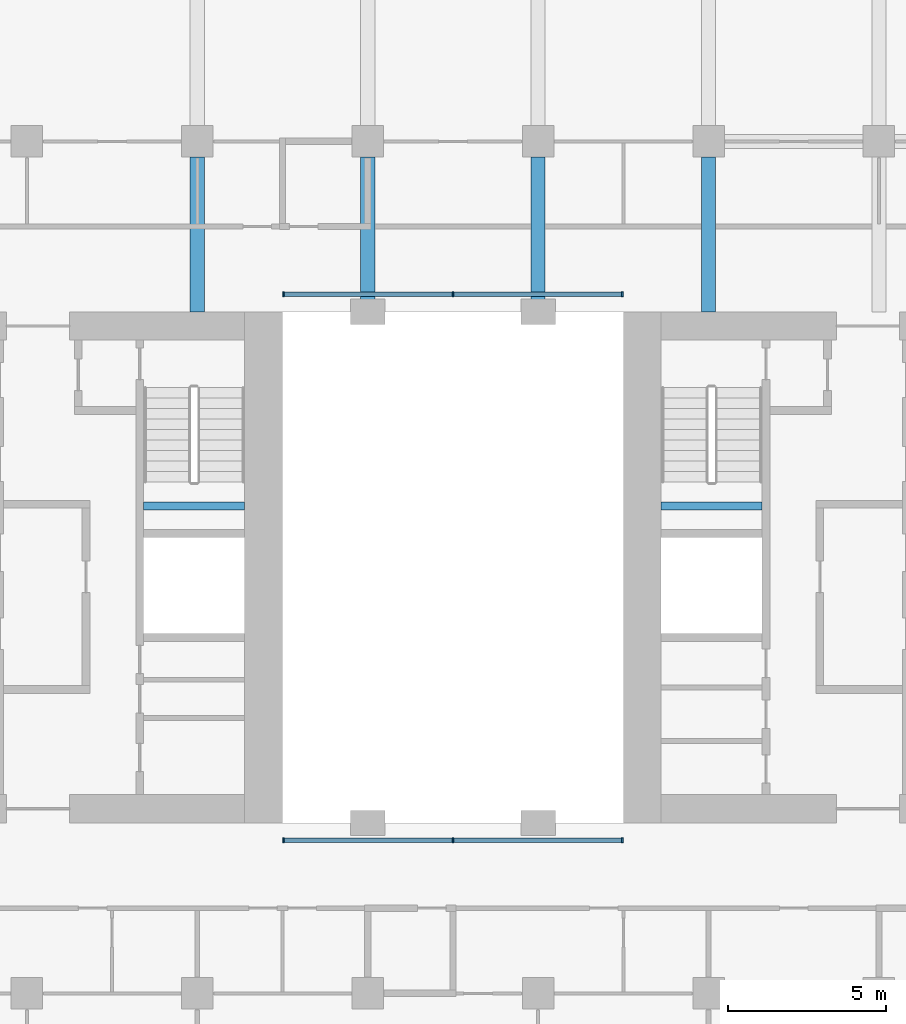
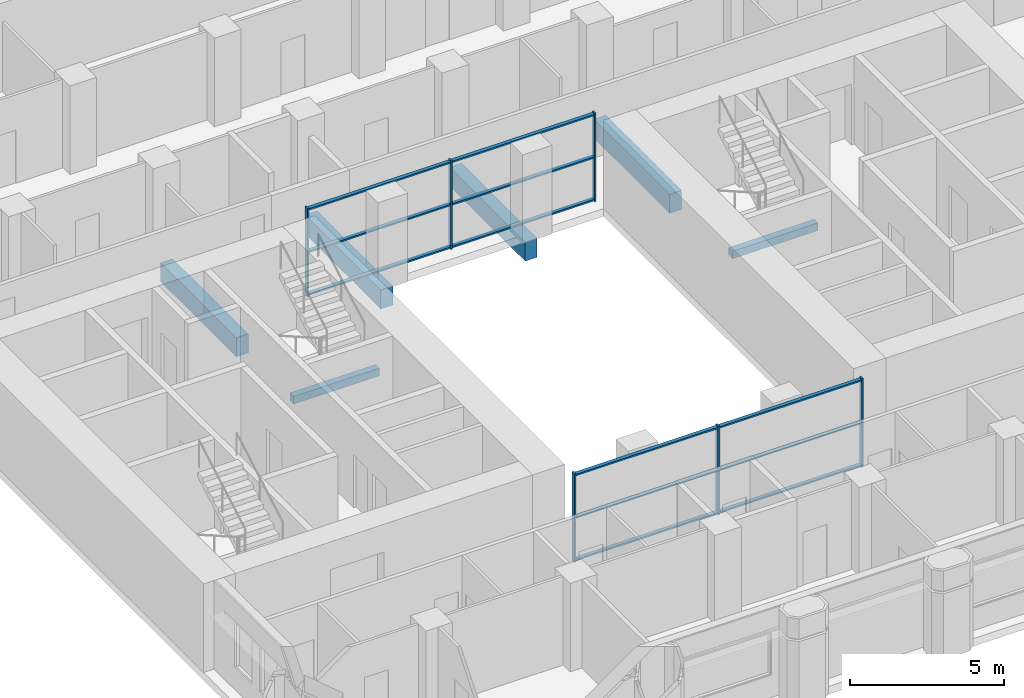
# One storey, part 2 of 10: 18 members, 6 beams, 2 elements without a shape of their own.
"""IFC4 building model written with IfcOpenShell, lengths in metres."""

from ifc_helpers import new_model, si_unit, direction, frame, origin, origin_2d, place, context, subcontext, project, spatial, rectangle, extrude, material, material_profile, profile_set, type_object, element, aggregate, save


model = new_model("IFC4")

# Units and contexts
model_context = context("Model", 3, precision=1e-05, world=origin(), true_north=direction((0.0, 1.0)))
body_context = subcontext(model_context, "Body", "Model", "MODEL_VIEW")
ifc_project = project(units=[si_unit("LENGTHUNIT", "METRE"), si_unit("AREAUNIT", "SQUARE_METRE"), si_unit("VOLUMEUNIT", "CUBIC_METRE"), si_unit("PLANEANGLEUNIT", "RADIAN"), si_unit("MASSUNIT", "GRAM", prefix="KILO")], contexts=[model_context])

# Site, building, storey
site_placement = place(None, origin())
site = spatial("IfcSite", under=ifc_project, at=site_placement, CompositionType="ELEMENT")
building_placement = place(site_placement, origin())
building = spatial("IfcBuilding", under=site, at=building_placement, Name="Tabaq Tower and Sports Hall", CompositionType="ELEMENT")
storey_placement = place(building_placement, frame((0.0, 0.0, 68.800048828125)))
storey = spatial("IfcBuildingStorey", under=building, at=storey_placement, Name="L15", CompositionType="ELEMENT", Elevation=68.800048828125)

# Curtain wall, members
ifc_material_1 = material(Name="Aluminium alloy 6063-T6 framed glazing", Category="aluminium")
curtain_wall_type = type_object("IfcCurtainWallType", Name="CW1 curtain wall", PredefinedType="USERDEFINED", material=ifc_material_1)
curtain_wall_1_placement = place(storey_placement, origin())
curtain_wall_1 = element("IfcCurtainWall", 1, at=curtain_wall_1_placement, inside=storey, type_object=curtain_wall_type, Name="Atrium glazing L15 S", ObjectType="ATRIUM ENCLOSURE", PredefinedType="USERDEFINED")
ifc_material_2 = material(Name="Aluminium alloy 6063-T6", Category="aluminium")
ifc_material_profile_1 = material_profile(ifc_material_2, rectangle(XDim=0.159912109375, YDim=0.06005859375, at=origin_2d()), Name="MULLION 160x60")
ifc_profile_set_1 = profile_set([ifc_material_profile_1], Name="Aluminium alloy 6063-T6")
member_type_1 = type_object("IfcMemberType", Name="CW1 mullion 160x60", PredefinedType="MULLION", material=ifc_profile_set_1)
member_1_placement = place(storey_placement, frame((18.929931640625, 15.64990234375, 0.0), z_axis=(0.0, 0.0, 1.0), x_axis=(0.0, 1.0, 0.0)))
member_1 = element("IfcMember", 2, at=member_1_placement, type_object=member_type_1, Name="CW1 mullion 1", PredefinedType="MULLION", context=body_context, shape_type="SweptSolid", body=[
    extrude(rectangle(XDim=0.159912109375, YDim=0.06005859375, at=origin_2d()), origin(), (0.0, 0.0, 1.0), 3.5),
])
member_2_placement = place(storey_placement, frame((24.300048828125, 15.64990234375, 0.0), z_axis=(0.0, 0.0, 1.0), x_axis=(0.0, 1.0, 0.0)))
member_2 = element("IfcMember", 3, at=member_2_placement, type_object=member_type_1, Name="CW1 mullion 2", PredefinedType="MULLION", context=body_context, shape_type="SweptSolid", body=[
    extrude(rectangle(XDim=0.159912109375, YDim=0.06005859375, at=origin_2d()), origin(), (0.0, 0.0, 1.0), 3.5),
])
member_3_placement = place(storey_placement, frame((29.669921875, 15.64990234375, 0.0), z_axis=(0.0, 0.0, 1.0), x_axis=(0.0, 1.0, 0.0)))
member_3 = element("IfcMember", 4, at=member_3_placement, type_object=member_type_1, Name="CW1 mullion 3", PredefinedType="MULLION", context=body_context, shape_type="SweptSolid", body=[
    extrude(rectangle(XDim=0.159912109375, YDim=0.06005859375, at=origin_2d()), origin(), (0.0, 0.0, 1.0), 3.5),
])

curtain_wall_2_placement = place(storey_placement, origin())
curtain_wall_2 = element("IfcCurtainWall", 5, at=curtain_wall_2_placement, inside=storey, type_object=curtain_wall_type, Name="Atrium glazing L15 N", ObjectType="ATRIUM ENCLOSURE", PredefinedType="USERDEFINED")
member_4_placement = place(storey_placement, frame((18.929931640625, 32.949951171875, 0.0), z_axis=(0.0, 0.0, 1.0), x_axis=(0.0, 1.0, 0.0)))
member_4 = element("IfcMember", 6, at=member_4_placement, type_object=member_type_1, Name="CW1 mullion 1", PredefinedType="MULLION", context=body_context, shape_type="SweptSolid", body=[
    extrude(rectangle(XDim=0.159912109375, YDim=0.06005859375, at=origin_2d()), origin(), (0.0, 0.0, 1.0), 3.5),
])
member_5_placement = place(storey_placement, frame((24.300048828125, 32.949951171875, 0.0), z_axis=(0.0, 0.0, 1.0), x_axis=(0.0, 1.0, 0.0)))
member_5 = element("IfcMember", 7, at=member_5_placement, type_object=member_type_1, Name="CW1 mullion 2", PredefinedType="MULLION", context=body_context, shape_type="SweptSolid", body=[
    extrude(rectangle(XDim=0.159912109375, YDim=0.06005859375, at=origin_2d()), origin(), (0.0, 0.0, 1.0), 3.5),
])
member_6_placement = place(storey_placement, frame((29.669921875, 32.949951171875, 0.0), z_axis=(0.0, 0.0, 1.0), x_axis=(0.0, 1.0, 0.0)))
member_6 = element("IfcMember", 8, at=member_6_placement, type_object=member_type_1, Name="CW1 mullion 3", PredefinedType="MULLION", context=body_context, shape_type="SweptSolid", body=[
    extrude(rectangle(XDim=0.159912109375, YDim=0.06005859375, at=origin_2d()), origin(), (0.0, 0.0, 1.0), 3.5),
])

# Member
ifc_material_3 = material(Name="Aluminium alloy 6063-T6", Category="aluminium")
ifc_material_profile_2 = material_profile(ifc_material_3, rectangle(XDim=0.139892578125, YDim=0.06005859375, at=origin_2d()), Name="TRANSOM 140x60")
ifc_profile_set_2 = profile_set([ifc_material_profile_2], Name="Aluminium alloy 6063-T6")
member_type_2 = type_object("IfcMemberType", Name="CW1 transom 140x60", PredefinedType="USERDEFINED", material=ifc_profile_set_2)
member_7_placement = place(storey_placement, frame((18.9599609375, 15.64990234375, 0.070068359375), z_axis=(1.0, 0.0, 0.0), x_axis=(0.0, 1.0, 0.0)))
member_7 = element("IfcMember", 9, at=member_7_placement, type_object=member_type_2, Name="CW1 transom 1.1", ObjectType="TRANSOM", PredefinedType="USERDEFINED", context=body_context, shape_type="SweptSolid", body=[
    extrude(rectangle(XDim=0.139892578125, YDim=0.06005859375, at=origin_2d()), origin(), (0.0, 0.0, 1.0), 5.31005859375),
])

member_8_placement = place(storey_placement, frame((18.9599609375, 15.64990234375, 1.75), z_axis=(1.0, 0.0, 0.0), x_axis=(0.0, 1.0, 0.0)))
member_8 = element("IfcMember", 10, at=member_8_placement, type_object=member_type_2, Name="CW1 transom 1.2", ObjectType="TRANSOM", PredefinedType="USERDEFINED", context=body_context, shape_type="SweptSolid", body=[
    extrude(rectangle(XDim=0.139892578125, YDim=0.06005859375, at=origin_2d()), origin(), (0.0, 0.0, 1.0), 5.31005859375),
])

member_9_placement = place(storey_placement, frame((18.9599609375, 15.64990234375, 3.429931640625), z_axis=(1.0, 0.0, 0.0), x_axis=(0.0, 1.0, 0.0)))
member_9 = element("IfcMember", 11, at=member_9_placement, type_object=member_type_2, Name="CW1 transom 1.3", ObjectType="TRANSOM", PredefinedType="USERDEFINED", context=body_context, shape_type="SweptSolid", body=[
    extrude(rectangle(XDim=0.139892578125, YDim=0.06005859375, at=origin_2d()), origin(), (0.0, 0.0, 1.0), 5.31005859375),
])

member_10_placement = place(storey_placement, frame((24.330078125, 15.64990234375, 0.070068359375), z_axis=(1.0, 0.0, 0.0), x_axis=(0.0, 1.0, 0.0)))
member_10 = element("IfcMember", 12, at=member_10_placement, type_object=member_type_2, Name="CW1 transom 2.1", ObjectType="TRANSOM", PredefinedType="USERDEFINED", context=body_context, shape_type="SweptSolid", body=[
    extrude(rectangle(XDim=0.139892578125, YDim=0.06005859375, at=origin_2d()), origin(), (0.0, 0.0, 1.0), 5.309814453125),
])

member_11_placement = place(storey_placement, frame((24.330078125, 15.64990234375, 1.75), z_axis=(1.0, 0.0, 0.0), x_axis=(0.0, 1.0, 0.0)))
member_11 = element("IfcMember", 13, at=member_11_placement, type_object=member_type_2, Name="CW1 transom 2.2", ObjectType="TRANSOM", PredefinedType="USERDEFINED", context=body_context, shape_type="SweptSolid", body=[
    extrude(rectangle(XDim=0.139892578125, YDim=0.06005859375, at=origin_2d()), origin(), (0.0, 0.0, 1.0), 5.309814453125),
])

member_12_placement = place(storey_placement, frame((24.330078125, 15.64990234375, 3.429931640625), z_axis=(1.0, 0.0, 0.0), x_axis=(0.0, 1.0, 0.0)))
member_12 = element("IfcMember", 14, at=member_12_placement, type_object=member_type_2, Name="CW1 transom 2.3", ObjectType="TRANSOM", PredefinedType="USERDEFINED", context=body_context, shape_type="SweptSolid", body=[
    extrude(rectangle(XDim=0.139892578125, YDim=0.06005859375, at=origin_2d()), origin(), (0.0, 0.0, 1.0), 5.309814453125),
])

aggregate(curtain_wall_1, [member_1, member_2, member_3, member_7, member_8, member_9, member_10, member_11, member_12])

member_13_placement = place(storey_placement, frame((18.9599609375, 32.949951171875, 0.070068359375), z_axis=(1.0, 0.0, 0.0), x_axis=(0.0, 1.0, 0.0)))
member_13 = element("IfcMember", 15, at=member_13_placement, type_object=member_type_2, Name="CW1 transom 1.1", ObjectType="TRANSOM", PredefinedType="USERDEFINED", context=body_context, shape_type="SweptSolid", body=[
    extrude(rectangle(XDim=0.139892578125, YDim=0.06005859375, at=origin_2d()), origin(), (0.0, 0.0, 1.0), 5.31005859375),
])

member_14_placement = place(storey_placement, frame((18.9599609375, 32.949951171875, 1.75), z_axis=(1.0, 0.0, 0.0), x_axis=(0.0, 1.0, 0.0)))
member_14 = element("IfcMember", 16, at=member_14_placement, type_object=member_type_2, Name="CW1 transom 1.2", ObjectType="TRANSOM", PredefinedType="USERDEFINED", context=body_context, shape_type="SweptSolid", body=[
    extrude(rectangle(XDim=0.139892578125, YDim=0.06005859375, at=origin_2d()), origin(), (0.0, 0.0, 1.0), 5.31005859375),
])

member_15_placement = place(storey_placement, frame((18.9599609375, 32.949951171875, 3.429931640625), z_axis=(1.0, 0.0, 0.0), x_axis=(0.0, 1.0, 0.0)))
member_15 = element("IfcMember", 17, at=member_15_placement, type_object=member_type_2, Name="CW1 transom 1.3", ObjectType="TRANSOM", PredefinedType="USERDEFINED", context=body_context, shape_type="SweptSolid", body=[
    extrude(rectangle(XDim=0.139892578125, YDim=0.06005859375, at=origin_2d()), origin(), (0.0, 0.0, 1.0), 5.31005859375),
])

member_16_placement = place(storey_placement, frame((24.330078125, 32.949951171875, 0.070068359375), z_axis=(1.0, 0.0, 0.0), x_axis=(0.0, 1.0, 0.0)))
member_16 = element("IfcMember", 18, at=member_16_placement, type_object=member_type_2, Name="CW1 transom 2.1", ObjectType="TRANSOM", PredefinedType="USERDEFINED", context=body_context, shape_type="SweptSolid", body=[
    extrude(rectangle(XDim=0.139892578125, YDim=0.06005859375, at=origin_2d()), origin(), (0.0, 0.0, 1.0), 5.309814453125),
])

member_17_placement = place(storey_placement, frame((24.330078125, 32.949951171875, 1.75), z_axis=(1.0, 0.0, 0.0), x_axis=(0.0, 1.0, 0.0)))
member_17 = element("IfcMember", 19, at=member_17_placement, type_object=member_type_2, Name="CW1 transom 2.2", ObjectType="TRANSOM", PredefinedType="USERDEFINED", context=body_context, shape_type="SweptSolid", body=[
    extrude(rectangle(XDim=0.139892578125, YDim=0.06005859375, at=origin_2d()), origin(), (0.0, 0.0, 1.0), 5.309814453125),
])

member_18_placement = place(storey_placement, frame((24.330078125, 32.949951171875, 3.429931640625), z_axis=(1.0, 0.0, 0.0), x_axis=(0.0, 1.0, 0.0)))
member_18 = element("IfcMember", 20, at=member_18_placement, type_object=member_type_2, Name="CW1 transom 2.3", ObjectType="TRANSOM", PredefinedType="USERDEFINED", context=body_context, shape_type="SweptSolid", body=[
    extrude(rectangle(XDim=0.139892578125, YDim=0.06005859375, at=origin_2d()), origin(), (0.0, 0.0, 1.0), 5.309814453125),
])

aggregate(curtain_wall_2, [member_4, member_5, member_6, member_13, member_14, member_15, member_16, member_17, member_18])

# Beams
ifc_material_4 = material(Name="Concrete C40/50", Category="concrete")
ifc_material_profile_3 = material_profile(ifc_material_4, rectangle(XDim=0.449951171875, YDim=0.75, at=origin_2d()), Name="CB 450x750")
ifc_profile_set_3 = profile_set([ifc_material_profile_3], Name="Concrete C40/50")
beam_type_1 = type_object("IfcBeamType", Name="PT CANTILEVER BEAM CB 450x750 C40/50", PredefinedType="BEAM", material=ifc_profile_set_3)
for number, where, z_axis, x_axis, name in (
    (21, (16.199951171875, 37.300048828125, -0.675048828125), (0.0, -1.0, 0.0), (1.0, 0.0, 0.0), "Cantilever Beam L15 N3 span 3"),
    (22, (21.60009765625, 37.300048828125, -0.675048828125), (0.0, -1.0, 0.0), (1.0, 0.0, 0.0), "Cantilever Beam L15 N4 span 3"),
    (23, (27.0, 37.300048828125, -0.675048828125), (0.0, -1.0, 0.0), (1.0, 0.0, 0.0), "Cantilever Beam L15 N5 span 3"),
    (24, (32.39990234375, 37.300048828125, -0.675048828125), (0.0, -1.0, 0.0), (1.0, 0.0, 0.0), "Cantilever Beam L15 N6 span 3"),
):
    element("IfcBeam", number, at=place(storey_placement, frame(where, z_axis=z_axis, x_axis=x_axis)), inside=storey, type_object=beam_type_1, Name=name, PredefinedType="BEAM", context=body_context, shape_type="SweptSolid", body=[
        extrude(rectangle(XDim=0.449951171875, YDim=0.75, at=origin_2d()), origin(), (0.0, 0.0, 1.0), 4.900146484375),
    ])
ifc_material_5 = material(Name="Concrete C40/50", Category="concrete")
ifc_material_profile_4 = material_profile(ifc_material_5, rectangle(XDim=0.25, YDim=0.300048828125, at=origin_2d()), Name="RC 250x300")
ifc_profile_set_4 = profile_set([ifc_material_profile_4], Name="Concrete C40/50")
beam_type_2 = type_object("IfcBeamType", Name="Stair landing beam 250x300", PredefinedType="BEAM", material=ifc_profile_set_4)
beam_1_placement = place(storey_placement, frame((14.5, 26.25, 1.550048828125), z_axis=(1.0, 0.0, 0.0), x_axis=(0.0, 1.0, 0.0)))
element("IfcBeam", 25, at=beam_1_placement, inside=storey, type_object=beam_type_2, Name="L15 ST2 landing beam 1", PredefinedType="BEAM", context=body_context, shape_type="SweptSolid", body=[
    extrude(rectangle(XDim=0.25, YDim=0.300048828125, at=origin_2d()), origin(), (0.0, 0.0, 1.0), 3.199951171875),
])
beam_2_placement = place(storey_placement, frame((30.89990234375, 26.25, 1.550048828125), z_axis=(1.0, 0.0, 0.0), x_axis=(0.0, 1.0, 0.0)))
element("IfcBeam", 26, at=beam_2_placement, inside=storey, type_object=beam_type_2, Name="L15 ST4 landing beam 1", PredefinedType="BEAM", context=body_context, shape_type="SweptSolid", body=[
    extrude(rectangle(XDim=0.25, YDim=0.300048828125, at=origin_2d()), origin(), (0.0, 0.0, 1.0), 3.2001953125),
])

save(model, "model.ifc")
